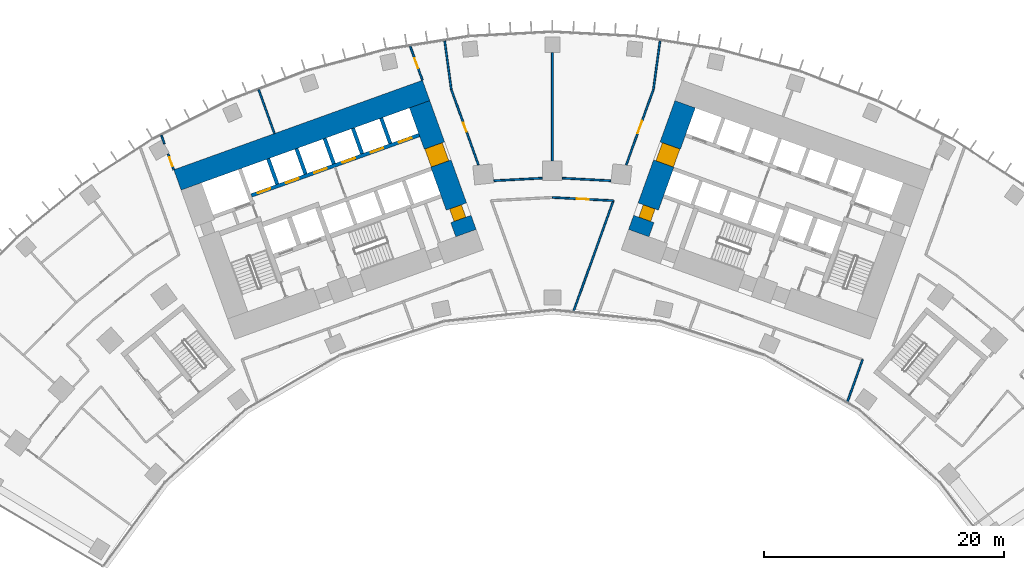
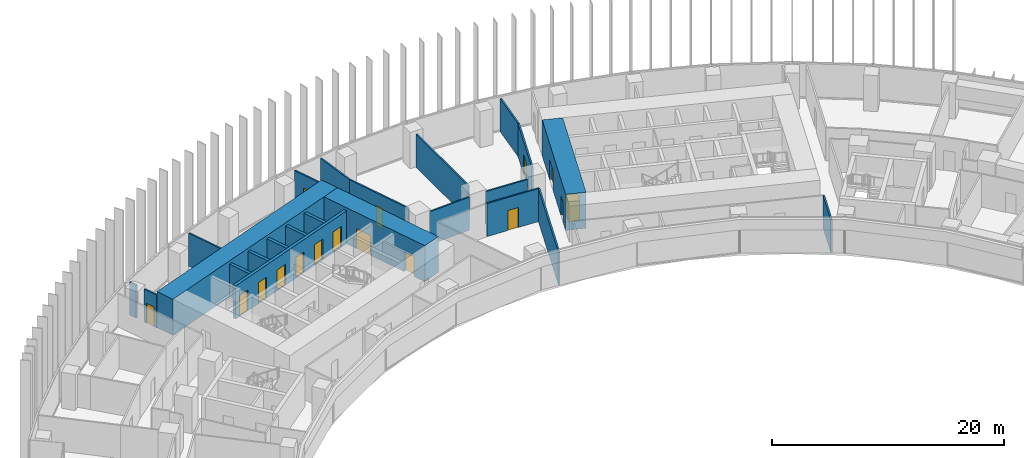
# One storey, part 20 of 25: 23 walls, 15 doors, 15 openings.
"""IFC4 building model written with IfcOpenShell, lengths in metres."""

from ifc_helpers import new_model, si_unit, direction, frame, frame_2d, origin, place, context, subcontext, project, spatial, rectangle, extrude, material, layer, layer_set, type_object, element, fill, save


model = new_model("IFC4")

# Units and contexts
model_context = context("Model", 3, precision=1e-05, world=origin(), true_north=direction((0.0, 1.0)))
body_context = subcontext(model_context, "Body", "Model", "MODEL_VIEW")
ifc_project = project(units=[si_unit("LENGTHUNIT", "METRE"), si_unit("AREAUNIT", "SQUARE_METRE"), si_unit("VOLUMEUNIT", "CUBIC_METRE"), si_unit("PLANEANGLEUNIT", "RADIAN"), si_unit("MASSUNIT", "GRAM", prefix="KILO")], contexts=[model_context])

# Site, building, storey
site_placement = place(None, origin())
site = spatial("IfcSite", under=ifc_project, at=site_placement, CompositionType="ELEMENT")
building_placement = place(site_placement, origin())
building = spatial("IfcBuilding", under=site, at=building_placement, Name="Stone Belt Terrace Tower", CompositionType="ELEMENT")
storey_placement = place(building_placement, frame((0.0, 0.0, 52.800048828125)))
storey = spatial("IfcBuildingStorey", under=building, at=storey_placement, Name="L12", CompositionType="ELEMENT", Elevation=52.800048828125)

# Wall
ifc_material_1 = material(Name="Concrete B80", Category="concrete")
ifc_layer_1 = layer(ifc_material_1, 1.800048828125)
ifc_layer_set_1 = layer_set([ifc_layer_1], Name="Core wall 1800 B80")
wall_type_1 = type_object("IfcWallType", Name="Core wall 1800 B80", PredefinedType="SHEAR", material=ifc_layer_set_1)
wall_1_placement = place(storey_placement, frame((-31.20947265625, 54.23583984375, 0.0), z_axis=(0.0, 0.0, 1.0), x_axis=(0.940922914687, 0.338620833112, 0.0)))
element("IfcWall", 1, at=wall_1_placement, inside=storey, type_object=wall_type_1, Name="Core A wall convex L12", PredefinedType="SHEAR", context=body_context, shape_type="SweptSolid", body=[
    extrude(rectangle(XDim=22.000244140625, YDim=1.800048828125, at=frame_2d((11.0, 0.0))), origin(), (0.0, 0.0, 1.0), 3.800048828125),
])

# Wall, openings, doors
wall_2_placement = place(storey_placement, frame((-7.19091796875, 49.8076171875, 0.0), z_axis=(0.0, 0.0, 1.0), x_axis=(-0.338632255135, 0.940918804033, 0.0)))
wall_2 = element("IfcWall", 2, at=wall_2_placement, inside=storey, type_object=wall_type_1, Name="Core A wall end_b L12", PredefinedType="SHEAR", context=body_context, shape_type="SweptSolid", body=[
    extrude(rectangle(XDim=11.39990234375, YDim=1.800048828125, at=frame_2d((5.699951171875, 0.0))), origin(), (0.0, 0.0, 1.0), 3.800048828125),
])
opening_1_placement = place(wall_2_placement, frame((6.14990234375, 0.0, 0.0)))
opening_1 = element("IfcOpeningElement", 3, at=opening_1_placement, cuts=wall_2, Name="Opening L12-C04", PredefinedType="OPENING", context=body_context, shape_type="SweptSolid", body=[
    extrude(rectangle(XDim=1.60009765625, YDim=2.10009765625, at=frame_2d((0.800048828125, 1.050048828125))), frame((0.0, 0.909912109375, 0.0), z_axis=(0.0, -1.0, 0.0), x_axis=(1.0, 0.0, 0.0)), (0.0, 0.0, 1.0), 1.820068359375),
])
opening_2_placement = place(wall_2_placement, frame((1.25, 0.0, 0.0)))
opening_2 = element("IfcOpeningElement", 4, at=opening_2_placement, cuts=wall_2, Name="Opening L12-C10", PredefinedType="OPENING", context=body_context, shape_type="SweptSolid", body=[
    extrude(rectangle(XDim=1.10009765625, YDim=2.10009765625, at=frame_2d((0.550048828125, 1.050048828125))), frame((0.0, 0.909912109375, 0.0), z_axis=(0.0, -1.0, 0.0), x_axis=(1.0, 0.0, 0.0)), (0.0, 0.0, 1.0), 1.820068359375),
])
ifc_material_2 = material(Name="Timber door leaf", Category="wood")
door_type_1 = type_object("IfcDoorType", Name="Core room door 1100", OperationType="SINGLE_SWING_LEFT", PredefinedType="DOOR", material=ifc_material_2)
door_1_placement = place(opening_2_placement, origin())
door_1 = element("IfcDoor", 5, at=door_1_placement, inside=storey, type_object=door_type_1, Name="Door to Cleaner's store core A", OperationType="SINGLE_SWING_LEFT", OverallHeight=2.10009765625, OverallWidth=1.10009765625, PredefinedType="DOOR", context=body_context, shape_type="SweptSolid", body=[
    extrude(rectangle(XDim=1.10009765625, YDim=2.10009765625, at=frame_2d((0.550048828125, 1.050048828125))), frame((0.0, 0.60498046875, 0.0), z_axis=(0.0, -1.0, 0.0), x_axis=(1.0, 0.0, 0.0)), (0.0, 0.0, 1.0), 1.050048828125),
])
fill(opening_2, door_1)
ifc_material_3 = material(Name="Glazed aluminium door leaf", Category="aluminium")
door_type_2 = type_object("IfcDoorType", Name="Lift lobby entrance door 1600", OperationType="DOUBLE_DOOR_SINGLE_SWING", PredefinedType="DOOR", material=ifc_material_3)
door_2_placement = place(opening_1_placement, origin())
door_2 = element("IfcDoor", 6, at=door_2_placement, inside=storey, type_object=door_type_2, Name="Lift lobby entrance door core A", OperationType="DOUBLE_DOOR_SINGLE_SWING", OverallHeight=2.10009765625, OverallWidth=1.60009765625, PredefinedType="DOOR", context=body_context, shape_type="SweptSolid", body=[
    extrude(rectangle(XDim=1.60009765625, YDim=2.10009765625, at=frame_2d((0.800048828125, 1.050048828125))), frame((0.0, 0.85498046875, 0.0), z_axis=(0.0, -1.0, 0.0), x_axis=(1.0, 0.0, 0.0)), (0.0, 0.0, 1.0), 1.550048828125),
])
fill(opening_1, door_2)

wall_3_placement = place(storey_placement, frame((7.19091796875, 49.8076171875, 0.0), z_axis=(0.0, 0.0, 1.0), x_axis=(0.338632255135, 0.940918804033, 0.0)))
wall_3 = element("IfcWall", 7, at=wall_3_placement, inside=storey, type_object=wall_type_1, Name="Core B wall end_a L12", PredefinedType="SHEAR", context=body_context, shape_type="SweptSolid", body=[
    extrude(rectangle(XDim=11.39990234375, YDim=1.800048828125, at=frame_2d((5.699951171875, 0.0))), origin(), (0.0, 0.0, 1.0), 3.800048828125),
])
opening_3_placement = place(wall_3_placement, frame((6.14990234375, 0.0, 0.0)))
opening_3 = element("IfcOpeningElement", 8, at=opening_3_placement, cuts=wall_3, Name="Opening L12-C15", PredefinedType="OPENING", context=body_context, shape_type="SweptSolid", body=[
    extrude(rectangle(XDim=1.60009765625, YDim=2.10009765625, at=frame_2d((0.800048828125, 1.050048828125))), frame((0.0, 0.909912109375, 0.0), z_axis=(0.0, -1.0, 0.0), x_axis=(1.0, 0.0, 0.0)), (0.0, 0.0, 1.0), 1.820068359375),
])
opening_4_placement = place(wall_3_placement, frame((1.25, 0.0, 0.0)))
opening_4 = element("IfcOpeningElement", 9, at=opening_4_placement, cuts=wall_3, Name="Opening L12-C21", PredefinedType="OPENING", context=body_context, shape_type="SweptSolid", body=[
    extrude(rectangle(XDim=1.10009765625, YDim=2.10009765625, at=frame_2d((0.550048828125, 1.050048828125))), frame((0.0, 0.909912109375, 0.0), z_axis=(0.0, -1.0, 0.0), x_axis=(1.0, 0.0, 0.0)), (0.0, 0.0, 1.0), 1.820068359375),
])
door_3_placement = place(opening_4_placement, origin())
door_3 = element("IfcDoor", 10, at=door_3_placement, inside=storey, type_object=door_type_1, Name="Door to Cleaner's store core B", OperationType="SINGLE_SWING_RIGHT", OverallHeight=2.10009765625, OverallWidth=1.10009765625, PredefinedType="DOOR", context=body_context, shape_type="SweptSolid", body=[
    extrude(rectangle(XDim=1.10009765625, YDim=2.10009765625, at=frame_2d((0.550048828125, 1.050048828125))), frame((0.0, 0.44482421875, 0.0), z_axis=(0.0, -1.0, 0.0), x_axis=(1.0, 0.0, 0.0)), (0.0, 0.0, 1.0), 1.050048828125),
])
fill(opening_4, door_3)
door_4_placement = place(opening_3_placement, origin())
door_4 = element("IfcDoor", 11, at=door_4_placement, inside=storey, type_object=door_type_2, Name="Lift lobby entrance door core B", OperationType="DOUBLE_DOOR_SINGLE_SWING", OverallHeight=2.10009765625, OverallWidth=1.60009765625, PredefinedType="DOOR", context=body_context, shape_type="SweptSolid", body=[
    extrude(rectangle(XDim=1.60009765625, YDim=2.10009765625, at=frame_2d((0.800048828125, 1.050048828125))), frame((0.0, 0.69482421875, 0.0), z_axis=(0.0, -1.0, 0.0), x_axis=(1.0, 0.0, 0.0)), (0.0, 0.0, 1.0), 1.550048828125),
])
fill(opening_3, door_4)

ifc_layer_2 = layer(ifc_material_1, 0.300048828125)
ifc_layer_set_2 = layer_set([ifc_layer_2], Name="Lift shaft wall 300")
wall_type_2 = type_object("IfcWallType", Name="Lift shaft wall 300", PredefinedType="SHEAR", material=ifc_layer_set_2)
wall_4_placement = place(storey_placement, frame((-25.05810546875, 52.9423828125, 0.0), z_axis=(0.0, 0.0, 1.0), x_axis=(0.940918215764, 0.338633889685, 0.0)))
wall_4 = element("IfcWall", 12, at=wall_4_placement, inside=storey, type_object=wall_type_2, Name="Core A wall", PredefinedType="SHEAR", context=body_context, shape_type="SweptSolid", body=[
    extrude(rectangle(XDim=14.850341796875, YDim=0.300048828125, at=frame_2d((7.42529296875, 0.0))), origin(), (0.0, 0.0, 1.0), 3.47998046875),
])
opening_5_placement = place(wall_4_placement, frame((0.570068359375, 0.0, 0.0)))
opening_5 = element("IfcOpeningElement", 13, at=opening_5_placement, cuts=wall_4, Name="Opening L12-LD01", PredefinedType="OPENING", context=body_context, shape_type="SweptSolid", body=[
    extrude(rectangle(XDim=1.10009765625, YDim=2.199951171875, at=frame_2d((0.550048828125, 1.10009765625))), frame((0.0, 0.159912109375, 0.0), z_axis=(0.0, -1.0, 0.0), x_axis=(1.0, 0.0, 0.0)), (0.0, 0.0, 1.0), 0.320068359375),
])
opening_6_placement = place(wall_4_placement, frame((3.070068359375, 0.0, 0.0)))
opening_6 = element("IfcOpeningElement", 14, at=opening_6_placement, cuts=wall_4, Name="Opening L12-LD02", PredefinedType="OPENING", context=body_context, shape_type="SweptSolid", body=[
    extrude(rectangle(XDim=1.10009765625, YDim=2.199951171875, at=frame_2d((0.550048828125, 1.10009765625))), frame((0.0, 0.159912109375, 0.0), z_axis=(0.0, -1.0, 0.0), x_axis=(1.0, 0.0, 0.0)), (0.0, 0.0, 1.0), 0.320068359375),
])
opening_7_placement = place(wall_4_placement, frame((5.570068359375, 0.0, 0.0)))
opening_7 = element("IfcOpeningElement", 15, at=opening_7_placement, cuts=wall_4, Name="Opening L12-LD03", PredefinedType="OPENING", context=body_context, shape_type="SweptSolid", body=[
    extrude(rectangle(XDim=1.10009765625, YDim=2.199951171875, at=frame_2d((0.550048828125, 1.10009765625))), frame((0.0, 0.159912109375, 0.0), z_axis=(0.0, -1.0, 0.0), x_axis=(1.0, 0.0, 0.0)), (0.0, 0.0, 1.0), 0.320068359375),
])
opening_8_placement = place(wall_4_placement, frame((8.070068359375, 0.0, 0.0)))
opening_8 = element("IfcOpeningElement", 16, at=opening_8_placement, cuts=wall_4, Name="Opening L12-LD04", PredefinedType="OPENING", context=body_context, shape_type="SweptSolid", body=[
    extrude(rectangle(XDim=1.10009765625, YDim=2.199951171875, at=frame_2d((0.550048828125, 1.10009765625))), frame((0.0, 0.159912109375, 0.0), z_axis=(0.0, -1.0, 0.0), x_axis=(1.0, 0.0, 0.0)), (0.0, 0.0, 1.0), 0.320068359375),
])
opening_9_placement = place(wall_4_placement, frame((10.570068359375, 0.0, 0.0)))
opening_9 = element("IfcOpeningElement", 17, at=opening_9_placement, cuts=wall_4, Name="Opening L12-LD05", PredefinedType="OPENING", context=body_context, shape_type="SweptSolid", body=[
    extrude(rectangle(XDim=1.10009765625, YDim=2.199951171875, at=frame_2d((0.550048828125, 1.10009765625))), frame((0.0, 0.159912109375, 0.0), z_axis=(0.0, -1.0, 0.0), x_axis=(1.0, 0.0, 0.0)), (0.0, 0.0, 1.0), 0.320068359375),
])
opening_10_placement = place(wall_4_placement, frame((13.070068359375, 0.0, 0.0)))
opening_10 = element("IfcOpeningElement", 18, at=opening_10_placement, cuts=wall_4, Name="Opening L12-LD06", PredefinedType="OPENING", context=body_context, shape_type="SweptSolid", body=[
    extrude(rectangle(XDim=1.10009765625, YDim=2.199951171875, at=frame_2d((0.550048828125, 1.10009765625))), frame((0.0, 0.159912109375, 0.0), z_axis=(0.0, -1.0, 0.0), x_axis=(1.0, 0.0, 0.0)), (0.0, 0.0, 1.0), 0.320068359375),
])
ifc_material_4 = material(Name="Stainless steel door leaf", Category="steel")
door_type_3 = type_object("IfcDoorType", Name="Landing door 1100", OperationType="SLIDING_TO_LEFT", PredefinedType="DOOR", material=ifc_material_4)
door_5_placement = place(opening_5_placement, origin())
door_5 = element("IfcDoor", 19, at=door_5_placement, inside=storey, type_object=door_type_3, Name="Landing door LR1 core A", OperationType="SLIDING_TO_LEFT", OverallHeight=2.199951171875, OverallWidth=1.10009765625, PredefinedType="DOOR", context=body_context, shape_type="SweptSolid", body=[
    extrude(rectangle(XDim=1.10009765625, YDim=2.199951171875, at=frame_2d((0.550048828125, 1.10009765625))), frame((0.0, 0.02490234375, 0.0), z_axis=(0.0, -1.0, 0.0), x_axis=(1.0, 0.0, 0.0)), (0.0, 0.0, 1.0), 0.050048828125),
])
fill(opening_5, door_5)
door_6_placement = place(opening_6_placement, origin())
door_6 = element("IfcDoor", 20, at=door_6_placement, inside=storey, type_object=door_type_3, Name="Landing door LR2 core A", OperationType="SLIDING_TO_LEFT", OverallHeight=2.199951171875, OverallWidth=1.10009765625, PredefinedType="DOOR", context=body_context, shape_type="SweptSolid", body=[
    extrude(rectangle(XDim=1.10009765625, YDim=2.199951171875, at=frame_2d((0.550048828125, 1.10009765625))), frame((0.0, 0.02490234375, 0.0), z_axis=(0.0, -1.0, 0.0), x_axis=(1.0, 0.0, 0.0)), (0.0, 0.0, 1.0), 0.050048828125),
])
fill(opening_6, door_6)
door_7_placement = place(opening_7_placement, origin())
door_7 = element("IfcDoor", 21, at=door_7_placement, inside=storey, type_object=door_type_3, Name="Landing door LR3 core A", OperationType="SLIDING_TO_LEFT", OverallHeight=2.199951171875, OverallWidth=1.10009765625, PredefinedType="DOOR", context=body_context, shape_type="SweptSolid", body=[
    extrude(rectangle(XDim=1.10009765625, YDim=2.199951171875, at=frame_2d((0.550048828125, 1.10009765625))), frame((0.0, 0.02490234375, 0.0), z_axis=(0.0, -1.0, 0.0), x_axis=(1.0, 0.0, 0.0)), (0.0, 0.0, 1.0), 0.050048828125),
])
fill(opening_7, door_7)
door_8_placement = place(opening_8_placement, origin())
door_8 = element("IfcDoor", 22, at=door_8_placement, inside=storey, type_object=door_type_3, Name="Landing door LR4 core A", OperationType="SLIDING_TO_LEFT", OverallHeight=2.199951171875, OverallWidth=1.10009765625, PredefinedType="DOOR", context=body_context, shape_type="SweptSolid", body=[
    extrude(rectangle(XDim=1.10009765625, YDim=2.199951171875, at=frame_2d((0.550048828125, 1.10009765625))), frame((0.0, 0.02490234375, 0.0), z_axis=(0.0, -1.0, 0.0), x_axis=(1.0, 0.0, 0.0)), (0.0, 0.0, 1.0), 0.050048828125),
])
fill(opening_8, door_8)
door_9_placement = place(opening_9_placement, origin())
door_9 = element("IfcDoor", 23, at=door_9_placement, inside=storey, type_object=door_type_3, Name="Landing door LR5 core A", OperationType="SLIDING_TO_LEFT", OverallHeight=2.199951171875, OverallWidth=1.10009765625, PredefinedType="DOOR", context=body_context, shape_type="SweptSolid", body=[
    extrude(rectangle(XDim=1.10009765625, YDim=2.199951171875, at=frame_2d((0.550048828125, 1.10009765625))), frame((0.0, 0.02490234375, 0.0), z_axis=(0.0, -1.0, 0.0), x_axis=(1.0, 0.0, 0.0)), (0.0, 0.0, 1.0), 0.050048828125),
])
fill(opening_9, door_9)
door_10_placement = place(opening_10_placement, origin())
door_10 = element("IfcDoor", 24, at=door_10_placement, inside=storey, type_object=door_type_3, Name="Landing door LR6 core A", OperationType="SLIDING_TO_LEFT", OverallHeight=2.199951171875, OverallWidth=1.10009765625, PredefinedType="DOOR", context=body_context, shape_type="SweptSolid", body=[
    extrude(rectangle(XDim=1.10009765625, YDim=2.199951171875, at=frame_2d((0.550048828125, 1.10009765625))), frame((0.0, 0.02490234375, 0.0), z_axis=(0.0, -1.0, 0.0), x_axis=(1.0, 0.0, 0.0)), (0.0, 0.0, 1.0), 0.050048828125),
])
fill(opening_10, door_10)

# Walls
wall_5_placement = place(storey_placement, frame((-22.897705078125, 53.87939453125, 0.0), z_axis=(0.0, 0.0, 1.0), x_axis=(-0.338535034312, 0.940953787677, 0.0)))
element("IfcWall", 25, at=wall_5_placement, inside=storey, type_object=wall_type_2, Name="Core A wall", PredefinedType="SHEAR", context=body_context, shape_type="SweptSolid", body=[
    extrude(rectangle(XDim=2.25, YDim=0.300048828125, at=frame_2d((1.125, 0.0))), origin(), (0.0, 0.0, 1.0), 3.47998046875),
])
wall_6_placement = place(storey_placement, frame((-20.54541015625, 54.72607421875, 0.0), z_axis=(0.0, 0.0, 1.0), x_axis=(-0.338569601369, 0.940941350472, 0.0)))
element("IfcWall", 26, at=wall_6_placement, inside=storey, type_object=wall_type_2, Name="Core A wall", PredefinedType="SHEAR", context=body_context, shape_type="SweptSolid", body=[
    extrude(rectangle(XDim=2.249755859375, YDim=0.300048828125, at=frame_2d((1.125, 0.0))), origin(), (0.0, 0.0, 1.0), 3.47998046875),
])
wall_7_placement = place(storey_placement, frame((-18.193115234375, 55.572509765625, 0.0), z_axis=(0.0, 0.0, 1.0), x_axis=(-0.338535034312, 0.940953787677, 0.0)))
element("IfcWall", 27, at=wall_7_placement, inside=storey, type_object=wall_type_2, Name="Core A wall", PredefinedType="SHEAR", context=body_context, shape_type="SweptSolid", body=[
    extrude(rectangle(XDim=2.25, YDim=0.300048828125, at=frame_2d((1.125, 0.0))), origin(), (0.0, 0.0, 1.0), 3.47998046875),
])
wall_8_placement = place(storey_placement, frame((-15.8408203125, 56.419189453125, 0.0), z_axis=(0.0, 0.0, 1.0), x_axis=(-0.338569601369, 0.940941350472, 0.0)))
element("IfcWall", 28, at=wall_8_placement, inside=storey, type_object=wall_type_2, Name="Core A wall", PredefinedType="SHEAR", context=body_context, shape_type="SweptSolid", body=[
    extrude(rectangle(XDim=2.249755859375, YDim=0.300048828125, at=frame_2d((1.125, 0.0))), origin(), (0.0, 0.0, 1.0), 3.47998046875),
])
wall_9_placement = place(storey_placement, frame((-13.48828125, 57.265625, 0.0), z_axis=(0.0, 0.0, 1.0), x_axis=(-0.338631098537, 0.940919220286, 0.0)))
element("IfcWall", 29, at=wall_9_placement, inside=storey, type_object=wall_type_2, Name="Core A wall", PredefinedType="SHEAR", context=body_context, shape_type="SweptSolid", body=[
    extrude(rectangle(XDim=2.250244140625, YDim=0.300048828125, at=frame_2d((1.125, 0.0))), origin(), (0.0, 0.0, 1.0), 3.47998046875),
])
ifc_material_5 = material(Name="Gypsum board partition")
ifc_layer_3 = layer(ifc_material_5, 0.14990234375)
ifc_layer_set_3 = layer_set([ifc_layer_3], Name="PARTITION 150 EI 60")
wall_type_3 = type_object("IfcWallType", Name="PARTITION 150 EI 60", PredefinedType="PARTITIONING", material=ifc_layer_set_3)
wall_10_placement = place(storey_placement, frame((-32.5458984375, 57.947998046875, 0.0), z_axis=(0.0, 0.0, 1.0), x_axis=(0.338960201827, -0.940800712998, 0.0)))
element("IfcWall", 30, at=wall_10_placement, inside=storey, type_object=wall_type_3, Name="L12/wall/i002", PredefinedType="PARTITIONING", context=body_context, shape_type="SweptSolid", body=[
    extrude(rectangle(XDim=0.754150390625, YDim=0.14990234375, at=frame_2d((0.376953125, 0.0))), origin(), (0.0, 0.0, 1.0), 3.47998046875),
])

# Wall, opening, door
wall_11_placement = place(storey_placement, frame((-31.98681640625, 56.39599609375, 0.0), z_axis=(0.0, 0.0, 1.0), x_axis=(0.338861945182, -0.940836107995, 0.0)))
wall_11 = element("IfcWall", 31, at=wall_11_placement, inside=storey, type_object=wall_type_3, Name="L12/wall/i003", PredefinedType="PARTITIONING", context=body_context, shape_type="SweptSolid", body=[
    extrude(rectangle(XDim=1.3955078125, YDim=0.14990234375, at=frame_2d((0.69775390625, 0.0))), origin(), (0.0, 0.0, 1.0), 3.47998046875),
])
opening_11_placement = place(wall_11_placement, frame((0.2978515625, 0.0, 0.0)))
opening_11 = element("IfcOpeningElement", 32, at=opening_11_placement, cuts=wall_11, Name="Opening D-A3b-04", PredefinedType="OPENING", context=body_context, shape_type="SweptSolid", body=[
    extrude(rectangle(XDim=0.800048828125, YDim=2.10009765625, at=frame_2d((0.39990234375, 1.050048828125))), frame((0.0, 0.0849609375, 0.0), z_axis=(0.0, -1.0, 0.0), x_axis=(1.0, 0.0, 0.0)), (0.0, 0.0, 1.0), 0.169921875),
])
door_type_4 = type_object("IfcDoorType", Name="STORE DOOR 800 X 2100", OperationType="NOTDEFINED", PredefinedType="DOOR", material=ifc_material_2)
door_11_placement = place(opening_11_placement, origin())
door_11 = element("IfcDoor", 33, at=door_11_placement, inside=storey, type_object=door_type_4, Name="L12/door/i04", OperationType="SINGLE_SWING_RIGHT", OverallHeight=2.10009765625, OverallWidth=0.800048828125, PredefinedType="DOOR", context=body_context, shape_type="SweptSolid", body=[
    extrude(rectangle(XDim=0.800048828125, YDim=2.10009765625, at=frame_2d((0.39990234375, 1.050048828125))), frame((0.0, 0.02490234375, 0.0), z_axis=(0.0, -1.0, 0.0), x_axis=(1.0, 0.0, 0.0)), (0.0, 0.0, 1.0), 0.050048828125),
])
fill(opening_11, door_11)

wall_12_placement = place(storey_placement, frame((-10.81396484375, 62.531982421875, 0.0), z_axis=(0.0, 0.0, 1.0), x_axis=(-0.338630302468, 0.940919506786, 0.0)))
wall_12 = element("IfcWall", 34, at=wall_12_placement, inside=storey, type_object=wall_type_3, Name="L12/wall/i007", PredefinedType="PARTITIONING", context=body_context, shape_type="SweptSolid", body=[
    extrude(rectangle(XDim=3.005615234375, YDim=0.14990234375, at=frame_2d((1.5029296875, 0.0))), origin(), (0.0, 0.0, 1.0), 3.47998046875),
])
opening_12_placement = place(wall_12_placement, frame((1.052734375, 0.0, 0.0)))
opening_12 = element("IfcOpeningElement", 35, at=opening_12_placement, cuts=wall_12, Name="Opening D-A3b-05", PredefinedType="OPENING", context=body_context, shape_type="SweptSolid", body=[
    extrude(rectangle(XDim=0.89990234375, YDim=2.10009765625, at=frame_2d((0.449951171875, 1.050048828125))), frame((0.0, 0.0849609375, 0.0), z_axis=(0.0, -1.0, 0.0), x_axis=(1.0, 0.0, 0.0)), (0.0, 0.0, 1.0), 0.169921875),
])
door_type_5 = type_object("IfcDoorType", Name="OFFICE DOOR 900 X 2100", OperationType="NOTDEFINED", PredefinedType="DOOR", material=ifc_material_2)
door_12_placement = place(opening_12_placement, origin())
door_12 = element("IfcDoor", 36, at=door_12_placement, inside=storey, type_object=door_type_5, Name="L12/door/i05", OperationType="SINGLE_SWING_RIGHT", OverallHeight=2.10009765625, OverallWidth=0.89990234375, PredefinedType="DOOR", context=body_context, shape_type="SweptSolid", body=[
    extrude(rectangle(XDim=0.89990234375, YDim=2.10009765625, at=frame_2d((0.449951171875, 1.050048828125))), frame((0.0, 0.02490234375, 0.0), z_axis=(0.0, -1.0, 0.0), x_axis=(1.0, 0.0, 0.0)), (0.0, 0.0, 1.0), 0.050048828125),
])
fill(opening_12, door_12)

# Wall
wall_13_placement = place(storey_placement, frame((-8.964599609375, 65.815185546875, 0.0), z_axis=(0.0, 0.0, 1.0), x_axis=(0.134854339568, -0.990865433396, 0.0)))
element("IfcWall", 37, at=wall_13_placement, inside=storey, type_object=wall_type_3, Name="L12/wall/i009", PredefinedType="PARTITIONING", context=body_context, shape_type="SweptSolid", body=[
    extrude(rectangle(XDim=4.08251953125, YDim=0.14990234375, at=frame_2d((2.041259765625, 0.0))), origin(), (0.0, 0.0, 1.0), 3.47998046875),
])

# Wall, opening, door
wall_14_placement = place(storey_placement, frame((-8.4140625, 61.76904296875, 0.0), z_axis=(0.0, 0.0, 1.0), x_axis=(0.338630067573, -0.940919591323, 0.0)))
wall_14 = element("IfcWall", 38, at=wall_14_placement, inside=storey, type_object=wall_type_3, Name="L12/wall/i010", PredefinedType="PARTITIONING", context=body_context, shape_type="SweptSolid", body=[
    extrude(rectangle(XDim=6.672607421875, YDim=0.14990234375, at=frame_2d((3.33642578125, 0.0))), origin(), (0.0, 0.0, 1.0), 3.47998046875),
])
opening_13_placement = place(wall_14_placement, frame((2.936279296875, 0.0, 0.0)))
opening_13 = element("IfcOpeningElement", 39, at=opening_13_placement, cuts=wall_14, Name="Opening D-A3b-28", PredefinedType="OPENING", context=body_context, shape_type="SweptSolid", body=[
    extrude(rectangle(XDim=0.800048828125, YDim=2.10009765625, at=frame_2d((0.39990234375, 1.050048828125))), frame((0.0, 0.0849609375, 0.0), z_axis=(0.0, -1.0, 0.0), x_axis=(1.0, 0.0, 0.0)), (0.0, 0.0, 1.0), 0.169921875),
])
door_13_placement = place(opening_13_placement, origin())
door_13 = element("IfcDoor", 40, at=door_13_placement, inside=storey, type_object=door_type_4, Name="L12/door/i28", OperationType="SINGLE_SWING_RIGHT", OverallHeight=2.10009765625, OverallWidth=0.800048828125, PredefinedType="DOOR", context=body_context, shape_type="SweptSolid", body=[
    extrude(rectangle(XDim=0.800048828125, YDim=2.10009765625, at=frame_2d((0.39990234375, 1.050048828125))), frame((0.0, 0.02490234375, 0.0), z_axis=(0.0, -1.0, 0.0), x_axis=(1.0, 0.0, 0.0)), (0.0, 0.0, 1.0), 0.050048828125),
])
fill(opening_13, door_13)

# Walls
wall_15_placement = place(storey_placement, frame((-24.451904296875, 61.7470703125, 0.0), z_axis=(0.0, 0.0, 1.0), x_axis=(0.338699412, -0.940894631886, 0.0)))
element("IfcWall", 41, at=wall_15_placement, inside=storey, type_object=wall_type_3, Name="L12/wall/i016", PredefinedType="PARTITIONING", context=body_context, shape_type="SweptSolid", body=[
    extrude(rectangle(XDim=3.87939453125, YDim=0.14990234375, at=frame_2d((1.939697265625, 0.0))), origin(), (0.0, 0.0, 1.0), 3.47998046875),
])
wall_16_placement = place(storey_placement, frame((1.771240234375, 43.313720703125, 0.0), z_axis=(0.0, 0.0, 1.0), x_axis=(0.338660235858, 0.940908733432, 0.0)))
element("IfcWall", 42, at=wall_16_placement, inside=storey, type_object=wall_type_3, Name="L12/wall/i019", PredefinedType="PARTITIONING", context=body_context, shape_type="SweptSolid", body=[
    extrude(rectangle(XDim=9.779052734375, YDim=0.14990234375, at=frame_2d((4.8896484375, 0.0))), origin(), (0.0, 0.0, 1.0), 3.47998046875),
])

# Wall, opening, door
wall_17_placement = place(storey_placement, frame((6.154541015625, 55.49072265625, 0.0), z_axis=(0.0, 0.0, 1.0), x_axis=(0.338630067573, 0.940919591323, 0.0)))
wall_17 = element("IfcWall", 43, at=wall_17_placement, inside=storey, type_object=wall_type_3, Name="L12/wall/i020", PredefinedType="PARTITIONING", context=body_context, shape_type="SweptSolid", body=[
    extrude(rectangle(XDim=6.672607421875, YDim=0.14990234375, at=frame_2d((3.33642578125, 0.0))), origin(), (0.0, 0.0, 1.0), 3.47998046875),
])
opening_14_placement = place(wall_17_placement, frame((2.786376953125, 0.0, 0.0)))
opening_14 = element("IfcOpeningElement", 44, at=opening_14_placement, cuts=wall_17, Name="Opening D-A3b-29", PredefinedType="OPENING", context=body_context, shape_type="SweptSolid", body=[
    extrude(rectangle(XDim=1.10009765625, YDim=2.10009765625, at=frame_2d((0.550048828125, 1.050048828125))), frame((0.0, 0.0849609375, 0.0), z_axis=(0.0, -1.0, 0.0), x_axis=(1.0, 0.0, 0.0)), (0.0, 0.0, 1.0), 0.169921875),
])
ifc_material_6 = material(Name="Steel fire door set", Category="steel")
door_type_6 = type_object("IfcDoorType", Name="SERVICE ROOM DOOR 1100 X 2100", OperationType="NOTDEFINED", PredefinedType="DOOR", material=ifc_material_6)
door_14_placement = place(opening_14_placement, origin())
door_14 = element("IfcDoor", 45, at=door_14_placement, inside=storey, type_object=door_type_6, Name="L12/door/i29", OperationType="SINGLE_SWING_RIGHT", OverallHeight=2.10009765625, OverallWidth=1.10009765625, PredefinedType="DOOR", context=body_context, shape_type="SweptSolid", body=[
    extrude(rectangle(XDim=1.10009765625, YDim=2.10009765625, at=frame_2d((0.550048828125, 1.050048828125))), frame((0.0, 0.02490234375, 0.0), z_axis=(0.0, -1.0, 0.0), x_axis=(1.0, 0.0, 0.0)), (0.0, 0.0, 1.0), 0.050048828125),
])
fill(opening_14, door_14)

# Walls
wall_18_placement = place(storey_placement, frame((8.4140625, 61.77001953125, 0.0), z_axis=(0.0, 0.0, 1.0), x_axis=(0.134854339568, 0.990865433396, 0.0)))
element("IfcWall", 46, at=wall_18_placement, inside=storey, type_object=wall_type_3, Name="L12/wall/i021", PredefinedType="PARTITIONING", context=body_context, shape_type="SweptSolid", body=[
    extrude(rectangle(XDim=4.08251953125, YDim=0.14990234375, at=frame_2d((2.041259765625, 0.0))), origin(), (0.0, 0.0, 1.0), 3.47998046875),
])
wall_19_placement = place(storey_placement, frame((24.56494140625, 35.771728515625, 0.0), z_axis=(0.0, 0.0, 1.0), x_axis=(0.338392582605, 0.941005026574, 0.0)))
element("IfcWall", 47, at=wall_19_placement, inside=storey, type_object=wall_type_3, Name="L12/wall/i022", PredefinedType="PARTITIONING", context=body_context, shape_type="SweptSolid", body=[
    extrude(rectangle(XDim=3.729248046875, YDim=0.14990234375, at=frame_2d((1.86474609375, 0.0))), origin(), (0.0, 0.0, 1.0), 3.47998046875),
])

# Wall, opening, door
wall_20_placement = place(storey_placement, frame((5.0810546875, 52.509033203125, 0.0), z_axis=(0.0, 0.0, 1.0), x_axis=(-0.99863382154, 0.052254095313, 0.0)))
wall_20 = element("IfcWall", 48, at=wall_20_placement, inside=storey, type_object=wall_type_3, Name="L12/wall/i082", PredefinedType="PARTITIONING", context=body_context, shape_type="SweptSolid", body=[
    extrude(rectangle(XDim=5.087890625, YDim=0.14990234375, at=frame_2d((2.5439453125, 0.0))), origin(), (0.0, 0.0, 1.0), 3.47998046875),
])
opening_15_placement = place(wall_20_placement, frame((2.0439453125, 0.0, 0.0)))
opening_15 = element("IfcOpeningElement", 49, at=opening_15_placement, cuts=wall_20, Name="Opening D-A3b-27", PredefinedType="OPENING", context=body_context, shape_type="SweptSolid", body=[
    extrude(rectangle(XDim=1.0, YDim=2.10009765625, at=frame_2d((0.5, 1.050048828125))), frame((0.0, 0.0849609375, 0.0), z_axis=(0.0, -1.0, 0.0), x_axis=(1.0, 0.0, 0.0)), (0.0, 0.0, 1.0), 0.169921875),
])
ifc_material_7 = material(Name="Timber fire door leaf", Category="wood")
door_type_7 = type_object("IfcDoorType", Name="TENANCY ENTRANCE DOOR 1000 X 2100", OperationType="NOTDEFINED", PredefinedType="DOOR", material=ifc_material_7)
door_15_placement = place(opening_15_placement, origin())
door_15 = element("IfcDoor", 50, at=door_15_placement, inside=storey, type_object=door_type_7, Name="L12/door/i27", OperationType="SINGLE_SWING_RIGHT", OverallHeight=2.10009765625, OverallWidth=1.0, PredefinedType="DOOR", context=body_context, shape_type="SweptSolid", body=[
    extrude(rectangle(XDim=1.0, YDim=2.10009765625, at=frame_2d((0.5, 1.050048828125))), frame((0.0, 0.02490234375, 0.0), z_axis=(0.0, -1.0, 0.0), x_axis=(1.0, 0.0, 0.0)), (0.0, 0.0, 1.0), 0.050048828125),
])
fill(opening_15, door_15)

# Walls
for number, where, z_axis, x_axis, name in (
    (51, (-4.85888671875, 54.170166015625, 0.0), (0.0, 0.0, 1.0), (0.998625841842, 0.052406373714, 0.0), "L12/wall/i084"),
    (52, (0.830078125, 54.381591796875, 0.0), (0.0, 0.0, 1.0), (0.998625841842, -0.052406373714, 0.0), "L12/wall/i085"),
):
    element("IfcWall", number, at=place(storey_placement, frame(where, z_axis=z_axis, x_axis=x_axis)), inside=storey, type_object=wall_type_3, Name=name, PredefinedType="PARTITIONING", context=body_context, shape_type="SweptSolid", body=[
        extrude(rectangle(XDim=4.034423828125, YDim=0.14990234375, at=frame_2d((2.01708984375, 0.0))), origin(), (0.0, 0.0, 1.0), 3.47998046875),
    ])
wall_21_placement = place(storey_placement, frame((0.0, 64.833984375, 0.0), z_axis=(0.0, 0.0, 1.0), x_axis=(0.0, -1.0, 0.0)))
element("IfcWall", 53, at=wall_21_placement, inside=storey, type_object=wall_type_3, Name="L12/wall/i086", PredefinedType="PARTITIONING", context=body_context, shape_type="SweptSolid", body=[
    extrude(rectangle(XDim=9.00390625, YDim=0.14990234375, at=frame_2d((4.501953125, 0.0))), origin(), (0.0, 0.0, 1.0), 3.47998046875),
])

save(model, "model.ifc")
